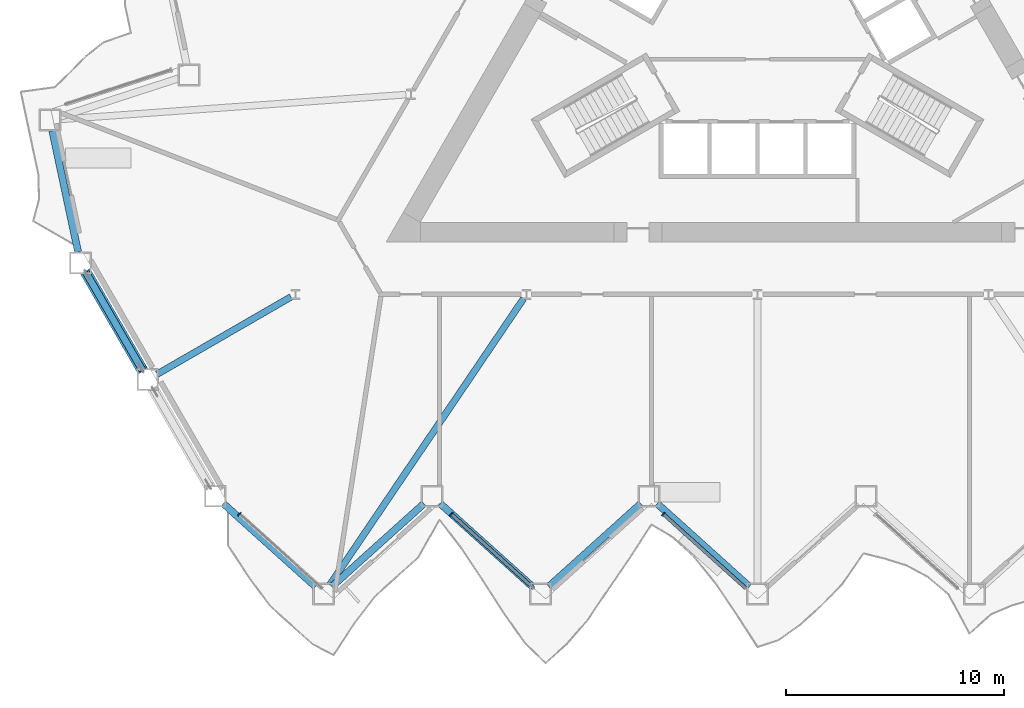
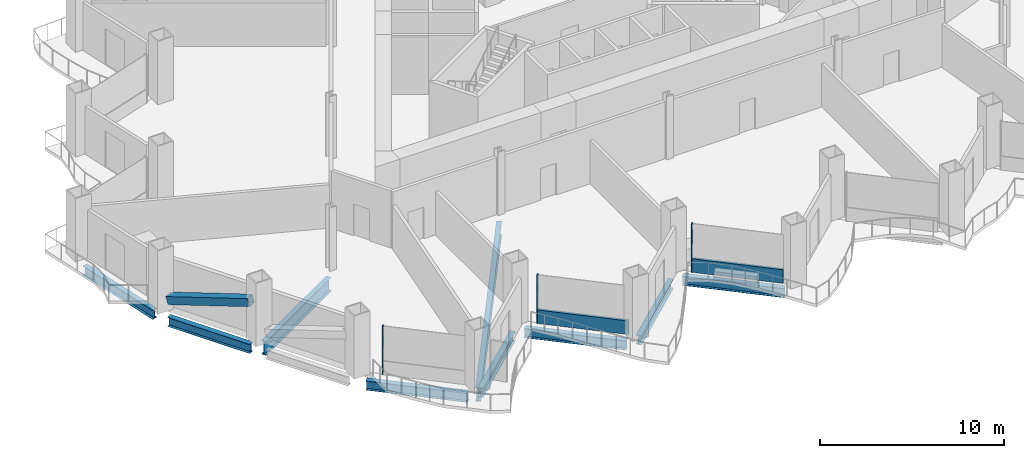
# One storey, part 2 of 21: 9 beams, 6 members, 3 elements without a shape of their own.
"""IFC4 building model written with IfcOpenShell, lengths in metres."""

from ifc_helpers import new_model, si_unit, direction, frame, origin, origin_2d, place, context, subcontext, project, spatial, rectangle, hollow_rectangle, i_section, extrude, material, layer, layer_set, material_profile, profile_set, type_object, element, aggregate, save


model = new_model("IFC4")

# Units and contexts
model_context = context("Model", 3, precision=1e-05, world=origin(), true_north=direction((0.0, 1.0)))
body_context = subcontext(model_context, "Body", "Model", "MODEL_VIEW")
ifc_project = project(units=[si_unit("LENGTHUNIT", "METRE"), si_unit("AREAUNIT", "SQUARE_METRE"), si_unit("VOLUMEUNIT", "CUBIC_METRE"), si_unit("PLANEANGLEUNIT", "RADIAN"), si_unit("MASSUNIT", "GRAM", prefix="KILO")], contexts=[model_context])

# Site, building, storey
site_placement = place(None, origin())
site = spatial("IfcSite", under=ifc_project, at=site_placement, CompositionType="ELEMENT")
building_placement = place(site_placement, origin())
building = spatial("IfcBuilding", under=site, at=building_placement, Name="Cormorant Prow Tower", CompositionType="ELEMENT")
storey_placement = place(building_placement, frame((0.0, 0.0, 51.0)))
storey = spatial("IfcBuildingStorey", under=building, at=storey_placement, Name="L10", CompositionType="ELEMENT", Elevation=51.0)

# Member
ifc_material_1 = material(Name="Structural steel ASTM A500 Gr C", Category="steel")
ifc_material_profile_1 = material_profile(ifc_material_1, hollow_rectangle(XDim=0.508056640625, YDim=0.508056640625, WallThickness=0.014892578125, at=origin_2d()), Name="HSS20x20x5/8")
ifc_profile_set_1 = profile_set([ifc_material_profile_1], Name="Structural steel ASTM A500 Gr C")
member_type_1 = type_object("IfcMemberType", Name="Chamfer brace HSS20x20x5/8", PredefinedType="BRACE", material=ifc_profile_set_1)
member_1_placement = place(storey_placement, frame((-30.74072265625, -11.222900390625, 0.767333984375), z_axis=(0.475881936113, -0.824270433724, 0.306781086395), x_axis=(0.866030326616, 0.499991473309, 0.0)))
element("IfcMember", 1, at=member_1_placement, inside=storey, type_object=member_type_1, Name="Chamfer brace BR1 at WSW00 L10", PredefinedType="BRACE", context=body_context, shape_type="SweptSolid", body=[
    extrude(hollow_rectangle(XDim=0.508056640625, YDim=0.508056640625, WallThickness=0.014892578125, at=origin_2d()), origin(), (0.0, 0.0, 1.0), 5.392333984375),
])

# Curtain wall, member
ifc_material_2 = material(Name="Aluminium 6063-T6", Category="aluminium")
ifc_layer = layer(ifc_material_2, 0.199951171875)
ifc_layer_set = layer_set([ifc_layer], Name="Aluminium 6063-T6")
curtain_wall_type = type_object("IfcCurtainWallType", Name="Office unitised curtain wall 200", PredefinedType="NOTDEFINED", material=ifc_layer_set)
curtain_wall_1_placement = place(storey_placement, origin())
curtain_wall_1 = element("IfcCurtainWall", 2, at=curtain_wall_1_placement, inside=storey, type_object=curtain_wall_type, Name="Office curtain wall S00", PredefinedType="NOTDEFINED")
ifc_material_3 = material(Name="Aluminium 6063-T6", Category="aluminium")
ifc_material_profile_2 = material_profile(ifc_material_3, rectangle(XDim=0.199951171875, YDim=0.06005859375, at=origin_2d()), Name="Office mullion 60x200")
ifc_profile_set_2 = profile_set([ifc_material_profile_2], Name="Aluminium 6063-T6")
member_type_2 = type_object("IfcMemberType", Name="Office mullion 60x200", PredefinedType="MULLION", material=ifc_profile_set_2)
member_2_placement = place(storey_placement, frame((-23.718505859375, -22.27783203125, 0.0), z_axis=(0.0, 0.0, 1.0), x_axis=(0.66913057331, 0.743144855234, 0.0)))
member_2 = element("IfcMember", 3, at=member_2_placement, type_object=member_type_2, Name="Office mullion S00", PredefinedType="MULLION", context=body_context, shape_type="SweptSolid", body=[
    extrude(rectangle(XDim=0.199951171875, YDim=0.06005859375, at=origin_2d()), origin(), (0.0, 0.0, 1.0), 3.18896484375),
])
aggregate(curtain_wall_1, [member_2])

curtain_wall_2_placement = place(storey_placement, origin())
curtain_wall_2 = element("IfcCurtainWall", 4, at=curtain_wall_2_placement, inside=storey, type_object=curtain_wall_type, Name="Office curtain wall S02", PredefinedType="NOTDEFINED")
member_3_placement = place(storey_placement, frame((-14.01318359375, -22.27783203125, 0.0), z_axis=(0.0, 0.0, 1.0), x_axis=(0.66913057331, 0.743144855234, 0.0)))
member_3 = element("IfcMember", 5, at=member_3_placement, type_object=member_type_2, Name="Office mullion S02", PredefinedType="MULLION", context=body_context, shape_type="SweptSolid", body=[
    extrude(rectangle(XDim=0.199951171875, YDim=0.06005859375, at=origin_2d()), origin(), (0.0, 0.0, 1.0), 3.18896484375),
])

curtain_wall_3_placement = place(storey_placement, origin())
curtain_wall_3 = element("IfcCurtainWall", 6, at=curtain_wall_3_placement, inside=storey, type_object=curtain_wall_type, Name="Office curtain wall S04", PredefinedType="NOTDEFINED")
member_4_placement = place(storey_placement, frame((-4.307861328125, -22.27783203125, 0.0), z_axis=(0.0, 0.0, 1.0), x_axis=(0.66913057331, 0.743144855234, 0.0)))
member_4 = element("IfcMember", 7, at=member_4_placement, type_object=member_type_2, Name="Office mullion S04", PredefinedType="MULLION", context=body_context, shape_type="SweptSolid", body=[
    extrude(rectangle(XDim=0.199951171875, YDim=0.06005859375, at=origin_2d()), origin(), (0.0, 0.0, 1.0), 3.18896484375),
])

# Member
ifc_material_4 = material(Name="Terracotta", Category="masonry")
ifc_material_profile_3 = material_profile(ifc_material_4, rectangle(XDim=0.159912109375, YDim=0.89990234375, at=origin_2d()), Name="Office terracotta spandrel rail 160x900")
ifc_profile_set_3 = profile_set([ifc_material_profile_3], Name="Terracotta")
member_type_3 = type_object("IfcMemberType", Name="Office terracotta spandrel rail 160x900", PredefinedType="USERDEFINED", material=ifc_profile_set_3)
member_5_placement = place(storey_placement, frame((-13.990966796875, -22.2978515625, 0.449951171875), z_axis=(0.743140700473, -0.669135187612, 0.0), x_axis=(0.669135187612, 0.743140700473, 0.0)))
member_5 = element("IfcMember", 8, at=member_5_placement, type_object=member_type_3, Name="Office spandrel rail S02", ObjectType="TRANSOM", PredefinedType="USERDEFINED", context=body_context, shape_type="SweptSolid", body=[
    extrude(rectangle(XDim=0.159912109375, YDim=0.89990234375, at=origin_2d()), origin(), (0.0, 0.0, 1.0), 5.06396484375),
])

aggregate(curtain_wall_2, [member_3, member_5])

member_6_placement = place(storey_placement, frame((-4.28564453125, -22.2978515625, 0.449951171875), z_axis=(0.743140700473, -0.669135187612, 0.0), x_axis=(0.669135187612, 0.743140700473, 0.0)))
member_6 = element("IfcMember", 9, at=member_6_placement, type_object=member_type_3, Name="Office spandrel rail S04", ObjectType="TRANSOM", PredefinedType="USERDEFINED", context=body_context, shape_type="SweptSolid", body=[
    extrude(rectangle(XDim=0.159912109375, YDim=0.89990234375, at=origin_2d()), origin(), (0.0, 0.0, 1.0), 5.06396484375),
])

aggregate(curtain_wall_3, [member_4, member_6])

# Beams
ifc_material_5 = material(Name="Structural steel ASTM A992 Gr 50", Category="steel")
ifc_material_profile_4 = material_profile(ifc_material_5, i_section(OverallWidth=0.3046875, OverallDepth=0.914794921875, WebThickness=0.0166015625, FlangeThickness=0.02587890625, at=origin_2d()), Name="W36x160")
ifc_profile_set_4 = profile_set([ifc_material_profile_4], Name="Structural steel ASTM A992 Gr 50")
beam_type_1 = type_object("IfcBeamType", Name="Radial floor beam W36x160", PredefinedType="BEAM", material=ifc_profile_set_4)
beam_1_placement = place(storey_placement, frame((-21.358154296875, -12.3310546875, -0.857421875), z_axis=(-0.866014253463, -0.500019312426, 0.0), x_axis=(0.500019312426, -0.866014253463, 0.0)))
element("IfcBeam", 10, at=beam_1_placement, inside=storey, type_object=beam_type_1, Name="Radial floor beam FB1 5 L10", PredefinedType="BEAM", context=body_context, shape_type="SweptSolid", body=[
    extrude(i_section(OverallWidth=0.3046875, OverallDepth=0.914794921875, WebThickness=0.0166015625, FlangeThickness=0.02587890625, at=origin_2d()), origin(), (0.0, 0.0, 1.0), 7.071533203125),
])
beam_2_placement = place(storey_placement, frame((-10.708740234375, -12.4072265625, -0.857421875), z_axis=(-0.560597160775, -0.828088656685, 0.0), x_axis=(0.828088656685, -0.560597160775, 0.0)))
element("IfcBeam", 11, at=beam_2_placement, inside=storey, type_object=beam_type_1, Name="Radial floor beam FB1 6 L10", PredefinedType="BEAM", context=body_context, shape_type="SweptSolid", body=[
    extrude(i_section(OverallWidth=0.3046875, OverallDepth=0.914794921875, WebThickness=0.0166015625, FlangeThickness=0.02587890625, at=origin_2d()), origin(), (0.0, 0.0, 1.0), 15.831787109375),
])
ifc_material_6 = material(Name="Structural steel ASTM A992 Gr 50", Category="steel")
ifc_material_profile_5 = material_profile(ifc_material_6, i_section(OverallWidth=0.32373046875, OverallDepth=0.611083984375, WebThickness=0.0126953125, FlangeThickness=0.01904296875, at=origin_2d()), Name="W24x104")
ifc_profile_set_5 = profile_set([ifc_material_profile_5], Name="Structural steel ASTM A992 Gr 50")
beam_type_2 = type_object("IfcBeamType", Name="Spandrel beam W24x104", PredefinedType="SPANDREL", material=ifc_profile_set_5)
for number, where, z_axis, x_axis, name in (
    (12, (-24.458740234375, -21.79443359375, -0.70556640625), (0.743129630386, -0.669147481833, 0.0), (0.669147481833, 0.743129630386, 0.0), "Spandrel beam SB1 S00-S01 L10"),
    (13, (-19.49267578125, -25.596923828125, -0.70556640625), (0.743129630386, 0.669147481833, 0.0), (-0.669147481833, 0.743129630386, 0.0), "Spandrel beam SB1 S01-S02 L10"),
    (14, (-14.526611328125, -21.79443359375, -0.70556640625), (0.743129630386, -0.669147481833, 0.0), (0.669147481833, 0.743129630386, 0.0), "Spandrel beam SB1 S02-S03 L10"),
    (15, (-9.560546875, -25.596923828125, -0.70556640625), (0.743129630386, 0.669147481833, 0.0), (-0.669147481833, 0.743129630386, 0.0), "Spandrel beam SB1 S03-S04 L10"),
    (16, (-4.594482421875, -21.79443359375, -0.70556640625), (0.743129630386, -0.669147481833, 0.0), (0.669147481833, 0.743129630386, 0.0), "Spandrel beam SB1 S04-S05 L10"),
    (17, (-32.285400390625, -4.726318359375, -0.70556640625), (0.207900376723, -0.97815000555, 0.0), (0.97815000555, 0.207900376723, 0.0), "Spandrel beam SB1 WNW09-WSW00 L10"),
):
    element("IfcBeam", number, at=place(storey_placement, frame(where, z_axis=z_axis, x_axis=x_axis)), inside=storey, type_object=beam_type_2, Name=name, PredefinedType="SPANDREL", context=body_context, shape_type="SweptSolid", body=[
        extrude(i_section(OverallWidth=0.32373046875, OverallDepth=0.611083984375, WebThickness=0.0126953125, FlangeThickness=0.01904296875, at=origin_2d()), origin(), (0.0, 0.0, 1.0), 5.6826171875),
    ])
beam_3_placement = place(storey_placement, frame((-30.75, -11.206787109375, -0.70556640625), z_axis=(0.49998408811, -0.866034590324, 0.0), x_axis=(0.866034590324, 0.49998408811, 0.0)))
element("IfcBeam", 18, at=beam_3_placement, inside=storey, type_object=beam_type_2, Name="Spandrel beam SB1 WSW00-WSW01 L10", PredefinedType="SPANDREL", context=body_context, shape_type="SweptSolid", body=[
    extrude(i_section(OverallWidth=0.32373046875, OverallDepth=0.611083984375, WebThickness=0.0126953125, FlangeThickness=0.01904296875, at=origin_2d()), origin(), (0.0, 0.0, 1.0), 5.169677734375),
])

save(model, "model.ifc")
